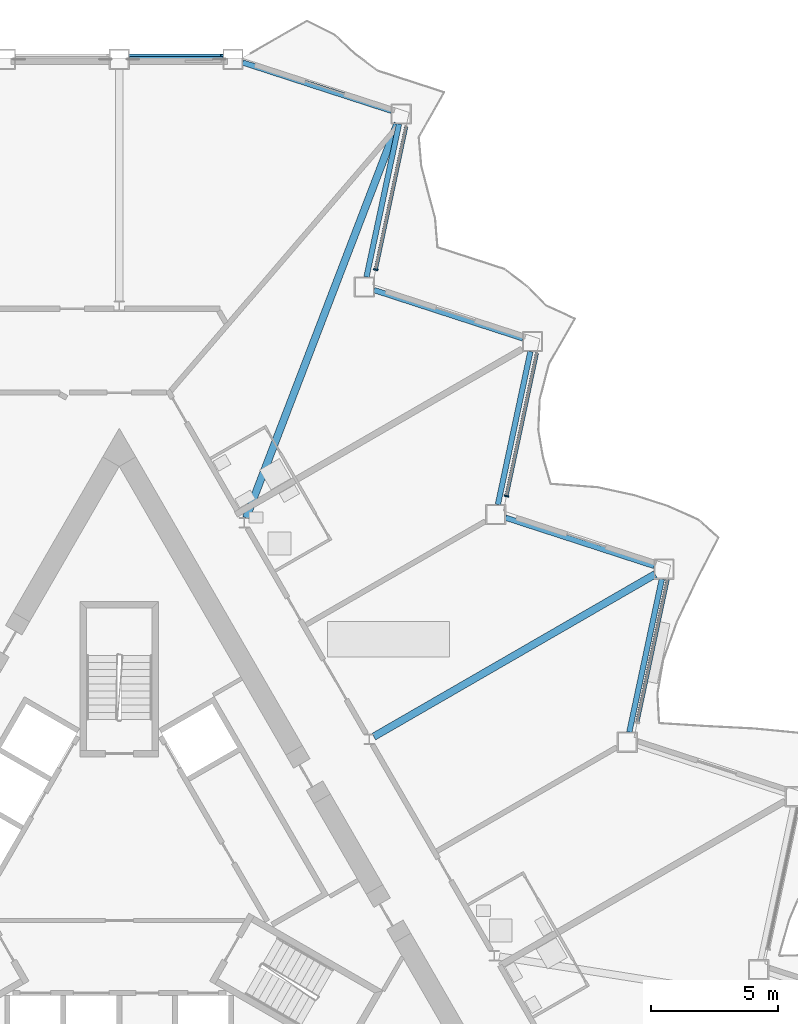
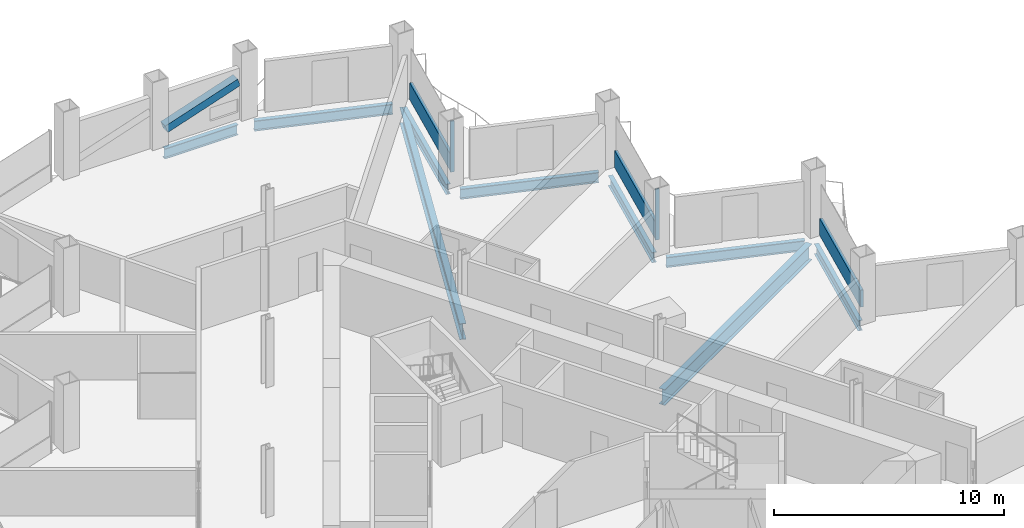
# One storey, part 8 of 22: 9 beams, 6 members, 3 elements without a shape of their own.
"""IFC4 building model written with IfcOpenShell, lengths in metres."""

import ifcopenshell
import ifcopenshell.guid

model = None  # the IFC model being written
_history = None  # IfcOwnerHistory: only IFC2X3 demands one
_inside = {}  # id of a spatial element -> (the spatial element, [elements in it])
_under = {}  # id of a project, library or spatial element -> (it, [spatial elements below it])
_declared = {}  # id of a project -> (the project, [libraries it declares])
_typed = {}  # id of a type object -> (the type object, [elements of that type])
_made_of = {}  # id of a material, layer set ... -> (it, [elements and type objects made of it])


def new_model(schema):
    """Start an empty IFC model of exactly this schema.

    Asked for "IFC4X3", IfcOpenShell would pick the latest addendum, in which some entities
    have other attributes; the version numbers below select the first issue.
    IFC2X3 requires an IfcOwnerHistory on every rooted entity: one is made here for all.
    """
    global model, _history
    if schema == "IFC4X3":
        model = ifcopenshell.file(schema_version=(4, 3, 0, 0))
    else:
        model = ifcopenshell.file(schema=schema)
    _inside.clear()
    _under.clear()
    _declared.clear()
    _typed.clear()
    _made_of.clear()
    _history = None
    if model.schema == "IFC2X3":
        org = make("IfcOrganization", Name="unknown")
        user = make(
            "IfcPersonAndOrganization",
            ThePerson=make("IfcPerson", FamilyName="unknown"),
            TheOrganization=org,
        )
        app = make(
            "IfcApplication",
            ApplicationDeveloper=org,
            Version="unknown",
            ApplicationFullName="unknown",
            ApplicationIdentifier="unknown",
        )
        _history = make(
            "IfcOwnerHistory",
            OwningUser=user,
            OwningApplication=app,
            ChangeAction="ADDED",
            CreationDate=0,
        )
    return model


def make(cls, **values):
    """One entity of the class cls with the attributes given. An attribute that is None is left unset."""
    return model.create_entity(
        cls, **{name: value for name, value in values.items() if value is not None}
    )


def rooted(cls, **values):
    """An entity with a GlobalId (a new one), such as an element, a storey or a relation."""
    return make(cls, GlobalId=ifcopenshell.guid.new(), OwnerHistory=_history, **values)


def si_unit(unit_type, name, prefix=None):
    """IfcSIUnit, for example si_unit("LENGTHUNIT", "METRE", prefix="MILLI")."""
    return make("IfcSIUnit", UnitType=unit_type, Prefix=prefix, Name=name)


def assignment(units):
    """IfcUnitAssignment: the units of a project."""
    return None if units is None else make("IfcUnitAssignment", Units=units)


def point(xyz):
    """IfcCartesianPoint."""
    return None if xyz is None else make("IfcCartesianPoint", Coordinates=xyz)


def direction(xyz):
    """IfcDirection."""
    return None if xyz is None else make("IfcDirection", DirectionRatios=xyz)


def frame(location, z_axis=None, x_axis=None):
    """IfcAxis2Placement3D, a coordinate frame: its origin and axes. An axis left out is left unset."""
    return make(
        "IfcAxis2Placement3D",
        Location=point(location),
        Axis=direction(z_axis),
        RefDirection=direction(x_axis),
    )


def frame_2d(location, x_axis=None):
    """IfcAxis2Placement2D, a coordinate frame in the plane: its origin and x axis."""
    return make(
        "IfcAxis2Placement2D", Location=point(location), RefDirection=direction(x_axis)
    )


def origin():
    """The frame at (0, 0, 0) with its axes left unset."""
    return frame((0.0, 0.0, 0.0))


def origin_2d():
    """The frame at (0, 0) in the plane with its x axis left unset."""
    return frame_2d((0.0, 0.0))


def place(relative_to, where):
    """IfcLocalPlacement: puts the frame where relative to a parent placement (None: the world)."""
    return make(
        "IfcLocalPlacement", PlacementRelTo=relative_to, RelativePlacement=where
    )


def context(
    kind, dimensions, precision=None, world=None, true_north=None, identifier=None
):
    """IfcGeometricRepresentationContext, for example the 3D "Model" context."""
    return make(
        "IfcGeometricRepresentationContext",
        ContextIdentifier=identifier,
        ContextType=kind,
        CoordinateSpaceDimension=dimensions,
        Precision=precision,
        WorldCoordinateSystem=world,
        TrueNorth=true_north,
    )


def subcontext(parent, identifier, kind, view, scale=None):
    """IfcGeometricRepresentationSubContext, for example "Body" below "Model"."""
    return make(
        "IfcGeometricRepresentationSubContext",
        ContextIdentifier=identifier,
        ContextType=kind,
        ParentContext=parent,
        TargetScale=scale,
        TargetView=view,
    )


def project(units=None, contexts=None):
    """IfcProject with its units and contexts."""
    return rooted(
        "IfcProject",
        Name="project",
        RepresentationContexts=contexts,
        UnitsInContext=assignment(units),
    )


def spatial(cls, under=None, at=None, **own):
    """A site, building, storey or space (cls), placed at a placement, below another one or the project."""
    s = rooted(cls, ObjectPlacement=at, **own)
    if under is not None:
        _under.setdefault(under.id(), (under, []))[1].append(s)
    return s


def profile(cls, at=None, kind="AREA", **sizes):
    """A parametric profile (cls). Its sizes go by their IFC names, for example OverallWidth=200.0."""
    return make(cls, ProfileType=kind, Position=at, **sizes)


def rectangle(**sizes):
    """IfcRectangleProfileDef."""
    return profile("IfcRectangleProfileDef", **sizes)


def hollow_rectangle(**sizes):
    """IfcRectangleHollowProfileDef."""
    return profile("IfcRectangleHollowProfileDef", **sizes)


def i_section(**sizes):
    """IfcIShapeProfileDef."""
    return profile("IfcIShapeProfileDef", **sizes)


def extrude(swept, where, along, depth):
    """IfcExtrudedAreaSolid: the profile swept, set in the frame where, extruded along a direction by depth."""
    return make(
        "IfcExtrudedAreaSolid",
        SweptArea=swept,
        Position=where,
        ExtrudedDirection=direction(along),
        Depth=depth,
    )


def shape(context_of_items, identifier, shape_type, items):
    """IfcShapeRepresentation: the items that make up one representation, for example the "Body"."""
    return make(
        "IfcShapeRepresentation",
        ContextOfItems=context_of_items,
        RepresentationIdentifier=identifier,
        RepresentationType=shape_type,
        Items=items,
    )


def material(Name=None, Category=None):
    """IfcMaterial."""
    return make("IfcMaterial", Name=Name, Category=Category)


def layer(
    of_material, thickness, ventilated=None, Name=None, Category=None, Priority=None
):
    """IfcMaterialLayer: one layer of a wall or slab, of a material (None: an air gap)."""
    return make(
        "IfcMaterialLayer",
        Material=of_material,
        LayerThickness=thickness,
        IsVentilated=ventilated,
        Name=Name,
        Category=Category,
        Priority=Priority,
    )


def layer_set(layers, Name=None):
    """IfcMaterialLayerSet."""
    return make("IfcMaterialLayerSet", MaterialLayers=layers, LayerSetName=Name)


def material_profile(
    of_material, cross_section, Name=None, Category=None, Priority=None
):
    """IfcMaterialProfile: a cross section and its material."""
    return make(
        "IfcMaterialProfile",
        Name=Name,
        Material=of_material,
        Profile=cross_section,
        Priority=Priority,
        Category=Category,
    )


def profile_set(profiles, Name=None, composite=None):
    """IfcMaterialProfileSet."""
    return make(
        "IfcMaterialProfileSet",
        Name=Name,
        MaterialProfiles=profiles,
        CompositeProfile=composite,
    )


def made_of(thing, what):
    """Note that an element or type object is made of a material, layer set ...; save() writes the relation."""
    if what is not None:
        _made_of.setdefault(what.id(), (what, []))[1].append(thing)
    return thing


def type_object(cls, material=None, **own):
    """A type object (cls), such as IfcWallType, which elements share."""
    return made_of(rooted(cls, **own), material)


def element(
    cls,
    number,
    at=None,
    inside=None,
    cuts=None,
    type_object=None,
    material=None,
    context=None,
    identifier="Body",
    shape_type=None,
    held_by="IfcProductDefinitionShape",
    body=None,
    shapes=None,
    **own,
):
    """One element of the class cls, such as IfcWall. Its Tag is "e" and its number.

    at: its placement. inside: the storey or other place that contains it. cuts: it is an
    opening in that element (IfcRelVoidsElement). A single representation is given by context,
    identifier, shape_type and body (its items); several are given by shapes. held_by: the class
    of the entity that holds the representations. save() writes the other relations.
    """
    e = rooted(cls, Tag="e%d" % number, ObjectPlacement=at, **own)
    if body is not None:
        shapes = [shape(context, identifier, shape_type, body)]
    if shapes is not None:
        e.Representation = make(held_by, Representations=shapes)
    if inside is not None:
        _inside.setdefault(inside.id(), (inside, []))[1].append(e)
    if cuts is not None:
        rooted(
            "IfcRelVoidsElement", RelatingBuildingElement=cuts, RelatedOpeningElement=e
        )
    if type_object is not None:
        _typed.setdefault(type_object.id(), (type_object, []))[1].append(e)
    return made_of(e, material)


def aggregate(whole, parts):
    """IfcRelAggregates: a whole, such as a stair, and the parts it consists of."""
    return rooted("IfcRelAggregates", RelatingObject=whole, RelatedObjects=parts)


def save(model, path):
    """Write the relations noted so far, then the file.

    IfcRelAggregates (storeys below a building ...), IfcRelContainedInSpatialStructure (elements
    in a storey), IfcRelDefinesByType, IfcRelAssociatesMaterial and IfcRelDeclares: one each for
    every whole, place, type object, material and project.
    """
    for whole, parts in _under.values():
        aggregate(whole, parts)
    for where, things in _inside.values():
        rooted(
            "IfcRelContainedInSpatialStructure",
            RelatedElements=things,
            RelatingStructure=where,
        )
    for kind, things in _typed.values():
        rooted("IfcRelDefinesByType", RelatedObjects=things, RelatingType=kind)
    for what, things in _made_of.values():
        rooted("IfcRelAssociatesMaterial", RelatedObjects=things, RelatingMaterial=what)
    for by, libraries in _declared.values():
        rooted("IfcRelDeclares", RelatingContext=by, RelatedDefinitions=libraries)
    model.write(path)


model = new_model("IFC4")

# Units and contexts
model_context = context("Model", 3, precision=1e-05, world=origin(), true_north=direction((0.0, 1.0)))
body_context = subcontext(model_context, "Body", "Model", "MODEL_VIEW")
ifc_project = project(units=[si_unit("LENGTHUNIT", "METRE"), si_unit("AREAUNIT", "SQUARE_METRE"), si_unit("VOLUMEUNIT", "CUBIC_METRE"), si_unit("PLANEANGLEUNIT", "RADIAN"), si_unit("MASSUNIT", "GRAM", prefix="KILO")], contexts=[model_context])

# Site, building, storey
site_placement = place(None, origin())
site = spatial("IfcSite", under=ifc_project, at=site_placement, CompositionType="ELEMENT")
building_placement = place(site_placement, origin())
building = spatial("IfcBuilding", under=site, at=building_placement, Name="Cormorant Prow Tower", CompositionType="ELEMENT")
storey_placement = place(building_placement, frame((0.0, 0.0, 198.0)))
storey = spatial("IfcBuildingStorey", under=building, at=storey_placement, Name="L43", CompositionType="ELEMENT", Elevation=198.0)

# Member
ifc_material_1 = material(Name="Structural steel ASTM A500 Gr C", Category="steel")
ifc_material_profile_1 = material_profile(ifc_material_1, hollow_rectangle(XDim=0.406494140625, YDim=0.406494140625, WallThickness=0.01171875, at=origin_2d()), Name="HSS16x16x1/2")
ifc_profile_set_1 = profile_set([ifc_material_profile_1], Name="Structural steel ASTM A500 Gr C")
member_type_1 = type_object("IfcMemberType", Name="Chamfer brace HSS16x16x1/2", PredefinedType="BRACE", material=ifc_profile_set_1)
member_1_placement = place(storey_placement, frame((0.417236328125, 32.3994140625, 0.739990234375), z_axis=(0.947980792039, 0.0, 0.318327532464), x_axis=(0.0, 1.0, 0.0)))
element("IfcMember", 1, at=member_1_placement, inside=storey, type_object=member_type_1, Name="Chamfer brace BR2 at N00 L43", PredefinedType="BRACE", context=body_context, shape_type="SweptSolid", body=[
    extrude(hollow_rectangle(XDim=0.406494140625, YDim=0.406494140625, WallThickness=0.01171875, at=origin_2d()), origin(), (0.0, 0.0, 1.0), 3.83544921875),
])

# Curtain wall, member
ifc_material_2 = material(Name="Aluminium 6063-T6", Category="aluminium")
ifc_layer = layer(ifc_material_2, 0.179931640625)
ifc_layer_set = layer_set([ifc_layer], Name="Aluminium 6063-T6")
curtain_wall_type = type_object("IfcCurtainWallType", Name="Hotel unitised curtain wall 180", PredefinedType="NOTDEFINED", material=ifc_layer_set)
curtain_wall_1_placement = place(storey_placement, origin())
curtain_wall_1 = element("IfcCurtainWall", 2, at=curtain_wall_1_placement, inside=storey, type_object=curtain_wall_type, Name="Hotel curtain wall ENE06", PredefinedType="NOTDEFINED")
ifc_material_3 = material(Name="Aluminium 6063-T6", Category="aluminium")
ifc_material_profile_2 = material_profile(ifc_material_3, rectangle(XDim=0.179931640625, YDim=0.06005859375, at=origin_2d()), Name="Hotel mullion 60x180")
ifc_profile_set_2 = profile_set([ifc_material_profile_2], Name="Aluminium 6063-T6")
member_type_2 = type_object("IfcMemberType", Name="Hotel mullion 60x180", PredefinedType="MULLION", material=ifc_profile_set_2)
member_2_placement = place(storey_placement, frame((15.22119140625, 15.234619140625, 0.0), z_axis=(0.0, 0.0, 1.0), x_axis=(-0.978147607432, 0.207911659303, 0.0)))
member_2 = element("IfcMember", 3, at=member_2_placement, type_object=member_type_2, Name="Hotel mullion ENE06", PredefinedType="MULLION", context=body_context, shape_type="SweptSolid", body=[
    extrude(rectangle(XDim=0.179931640625, YDim=0.06005859375, at=origin_2d()), origin(), (0.0, 0.0, 1.0), 2.700927734375),
])

curtain_wall_2_placement = place(storey_placement, origin())
curtain_wall_2 = element("IfcCurtainWall", 4, at=curtain_wall_2_placement, inside=storey, type_object=curtain_wall_type, Name="Hotel curtain wall ENE08", PredefinedType="NOTDEFINED")
member_3_placement = place(storey_placement, frame((10.08251953125, 24.134765625, 0.0), z_axis=(0.0, 0.0, 1.0), x_axis=(-0.978147607432, 0.207911659303, 0.0)))
member_3 = element("IfcMember", 5, at=member_3_placement, type_object=member_type_2, Name="Hotel mullion ENE08", PredefinedType="MULLION", context=body_context, shape_type="SweptSolid", body=[
    extrude(rectangle(XDim=0.179931640625, YDim=0.06005859375, at=origin_2d()), origin(), (0.0, 0.0, 1.0), 2.700927734375),
])

curtain_wall_3_placement = place(storey_placement, origin())
curtain_wall_3 = element("IfcCurtainWall", 6, at=curtain_wall_3_placement, inside=storey, type_object=curtain_wall_type, Name="Hotel curtain wall ENE04", PredefinedType="NOTDEFINED")
ifc_material_4 = material(Name="Terracotta", Category="masonry")
ifc_material_profile_3 = material_profile(ifc_material_4, rectangle(XDim=0.139892578125, YDim=0.89990234375, at=origin_2d()), Name="Hotel terracotta spandrel rail 140x900")
ifc_profile_set_3 = profile_set([ifc_material_profile_3], Name="Terracotta")
member_type_3 = type_object("IfcMemberType", Name="Hotel terracotta spandrel rail 140x900", PredefinedType="USERDEFINED", material=ifc_profile_set_3)
member_4_placement = place(storey_placement, frame((20.365966796875, 6.36376953125, 0.449951171875), z_axis=(0.207875606044, 0.978155270093, 0.0), x_axis=(-0.978155270093, 0.207875606044, 0.0)))
member_4 = element("IfcMember", 7, at=member_4_placement, type_object=member_type_3, Name="Hotel spandrel rail ENE04", ObjectType="TRANSOM", PredefinedType="USERDEFINED", context=body_context, shape_type="SweptSolid", body=[
    extrude(rectangle(XDim=0.139892578125, YDim=0.89990234375, at=origin_2d()), origin(), (0.0, 0.0, 1.0), 5.718505859375),
])
aggregate(curtain_wall_3, [member_4])

# Member
member_5_placement = place(storey_placement, frame((15.227294921875, 15.263916015625, 0.449951171875), z_axis=(0.207916454305, 0.978146588211, 0.0), x_axis=(-0.978146588211, 0.207916454305, 0.0)))
member_5 = element("IfcMember", 8, at=member_5_placement, type_object=member_type_3, Name="Hotel spandrel rail ENE06", ObjectType="TRANSOM", PredefinedType="USERDEFINED", context=body_context, shape_type="SweptSolid", body=[
    extrude(rectangle(XDim=0.139892578125, YDim=0.89990234375, at=origin_2d()), origin(), (0.0, 0.0, 1.0), 5.718505859375),
])

aggregate(curtain_wall_1, [member_2, member_5])

member_6_placement = place(storey_placement, frame((10.0888671875, 24.1640625, 0.449951171875), z_axis=(0.207916454305, 0.978146588211, 0.0), x_axis=(-0.978146588211, 0.207916454305, 0.0)))
member_6 = element("IfcMember", 9, at=member_6_placement, type_object=member_type_3, Name="Hotel spandrel rail ENE08", ObjectType="TRANSOM", PredefinedType="USERDEFINED", context=body_context, shape_type="SweptSolid", body=[
    extrude(rectangle(XDim=0.139892578125, YDim=0.89990234375, at=origin_2d()), origin(), (0.0, 0.0, 1.0), 5.718505859375),
])

aggregate(curtain_wall_2, [member_3, member_6])

# Beams
ifc_material_5 = material(Name="Structural steel ASTM A992 Gr 50", Category="steel")
ifc_material_profile_4 = material_profile(ifc_material_5, i_section(OverallWidth=0.29296875, OverallDepth=0.845703125, WebThickness=0.015380859375, FlangeThickness=0.0244140625, at=origin_2d()), Name="W33x141")
ifc_profile_set_4 = profile_set([ifc_material_profile_4], Name="Structural steel ASTM A992 Gr 50")
beam_type_1 = type_object("IfcBeamType", Name="Radial floor beam W33x141", PredefinedType="BEAM", material=ifc_profile_set_4)
beam_1_placement = place(storey_placement, frame((10.0048828125, 5.7763671875, -0.77294921875), z_axis=(0.866026069776, 0.499998846467, 0.0), x_axis=(-0.499998846467, 0.866026069776, 0.0)))
element("IfcBeam", 10, at=beam_1_placement, inside=storey, type_object=beam_type_1, Name="Radial floor beam FB2 11 L43", PredefinedType="BEAM", context=body_context, shape_type="SweptSolid", body=[
    extrude(i_section(OverallWidth=0.29296875, OverallDepth=0.845703125, WebThickness=0.015380859375, FlangeThickness=0.0244140625, at=origin_2d()), origin(), (0.0, 0.0, 1.0), 12.76904296875),
])
beam_2_placement = place(storey_placement, frame((4.9873046875, 14.376220703125, -0.77294921875), z_axis=(0.358301123829, 0.933606075742, 0.0), x_axis=(-0.933606075742, 0.358301123829, 0.0)))
element("IfcBeam", 11, at=beam_2_placement, inside=storey, type_object=beam_type_1, Name="Radial floor beam FB2 12 L43", PredefinedType="BEAM", context=body_context, shape_type="SweptSolid", body=[
    extrude(i_section(OverallWidth=0.29296875, OverallDepth=0.845703125, WebThickness=0.015380859375, FlangeThickness=0.0244140625, at=origin_2d()), origin(), (0.0, 0.0, 1.0), 16.604736328125),
])
ifc_material_6 = material(Name="Structural steel ASTM A992 Gr 50", Category="steel")
ifc_material_profile_5 = material_profile(ifc_material_6, i_section(OverallWidth=0.2138671875, OverallDepth=0.549072265625, WebThickness=0.0146484375, FlangeThickness=0.023681640625, at=origin_2d()), Name="W21x93")
ifc_profile_set_5 = profile_set([ifc_material_profile_5], Name="Structural steel ASTM A992 Gr 50")
beam_type_2 = type_object("IfcBeamType", Name="Spandrel beam W21x93", PredefinedType="SPANDREL", material=ifc_profile_set_5)
beam_3_placement = place(storey_placement, frame((20.0478515625, 5.9541015625, -0.62451171875), z_axis=(0.207904811195, 0.978149063018, 0.0), x_axis=(-0.978149063018, 0.207904811195, 0.0)))
element("IfcBeam", 12, at=beam_3_placement, inside=storey, type_object=beam_type_2, Name="Spandrel beam SB2 ENE04-ENE05 L43", PredefinedType="SPANDREL", context=body_context, shape_type="SweptSolid", body=[
    extrude(i_section(OverallWidth=0.2138671875, OverallDepth=0.549072265625, WebThickness=0.0146484375, FlangeThickness=0.023681640625, at=origin_2d()), origin(), (0.0, 0.0, 1.0), 6.149658203125),
])
beam_4_placement = place(storey_placement, frame((21.029052734375, 12.484375, -0.62451171875), z_axis=(-0.951057696564, 0.309013361859, 0.0), x_axis=(-0.309013361859, -0.951057696564, 0.0)))
element("IfcBeam", 13, at=beam_4_placement, inside=storey, type_object=beam_type_2, Name="Spandrel beam SB2 ENE05-ENE06 L43", PredefinedType="SPANDREL", context=body_context, shape_type="SweptSolid", body=[
    extrude(i_section(OverallWidth=0.2138671875, OverallDepth=0.549072265625, WebThickness=0.0146484375, FlangeThickness=0.023681640625, at=origin_2d()), origin(), (0.0, 0.0, 1.0), 6.14990234375),
])
beam_5_placement = place(storey_placement, frame((14.883056640625, 14.899658203125, -0.62451171875), z_axis=(0.207904811195, 0.978149063018, 0.0), x_axis=(-0.978149063018, 0.207904811195, 0.0)))
element("IfcBeam", 14, at=beam_5_placement, inside=storey, type_object=beam_type_2, Name="Spandrel beam SB2 ENE06-ENE07 L43", PredefinedType="SPANDREL", context=body_context, shape_type="SweptSolid", body=[
    extrude(i_section(OverallWidth=0.2138671875, OverallDepth=0.549072265625, WebThickness=0.0146484375, FlangeThickness=0.023681640625, at=origin_2d()), origin(), (0.0, 0.0, 1.0), 6.149658203125),
])
beam_6_placement = place(storey_placement, frame((15.864501953125, 21.429931640625, -0.62451171875), z_axis=(-0.951057696564, 0.309013361859, 0.0), x_axis=(-0.309013361859, -0.951057696564, 0.0)))
element("IfcBeam", 15, at=beam_6_placement, inside=storey, type_object=beam_type_2, Name="Spandrel beam SB2 ENE07-ENE08 L43", PredefinedType="SPANDREL", context=body_context, shape_type="SweptSolid", body=[
    extrude(i_section(OverallWidth=0.2138671875, OverallDepth=0.549072265625, WebThickness=0.0146484375, FlangeThickness=0.023681640625, at=origin_2d()), origin(), (0.0, 0.0, 1.0), 6.14990234375),
])
beam_7_placement = place(storey_placement, frame((9.71826171875, 23.84521484375, -0.62451171875), z_axis=(0.207904811195, 0.978149063018, 0.0), x_axis=(-0.978149063018, 0.207904811195, 0.0)))
element("IfcBeam", 16, at=beam_7_placement, inside=storey, type_object=beam_type_2, Name="Spandrel beam SB2 ENE08-ENE09 L43", PredefinedType="SPANDREL", context=body_context, shape_type="SweptSolid", body=[
    extrude(i_section(OverallWidth=0.2138671875, OverallDepth=0.549072265625, WebThickness=0.0146484375, FlangeThickness=0.023681640625, at=origin_2d()), origin(), (0.0, 0.0, 1.0), 6.149658203125),
])
beam_8_placement = place(storey_placement, frame((10.69970703125, 30.37548828125, -0.62451171875), z_axis=(-0.951057696564, 0.309013361859, 0.0), x_axis=(-0.309013361859, -0.951057696564, 0.0)))
element("IfcBeam", 17, at=beam_8_placement, inside=storey, type_object=beam_type_2, Name="Spandrel beam SB2 ENE09-N00 L43", PredefinedType="SPANDREL", context=body_context, shape_type="SweptSolid", body=[
    extrude(i_section(OverallWidth=0.2138671875, OverallDepth=0.549072265625, WebThickness=0.0146484375, FlangeThickness=0.023681640625, at=origin_2d()), origin(), (0.0, 0.0, 1.0), 6.14990234375),
])
beam_9_placement = place(storey_placement, frame((4.0703125, 32.3994140625, -0.62451171875), z_axis=(-1.0, 0.0, 0.0), x_axis=(0.0, -1.0, 0.0)))
element("IfcBeam", 18, at=beam_9_placement, inside=storey, type_object=beam_type_2, Name="Spandrel beam SB2 N00-N01 L43", PredefinedType="SPANDREL", context=body_context, shape_type="SweptSolid", body=[
    extrude(i_section(OverallWidth=0.2138671875, OverallDepth=0.549072265625, WebThickness=0.0146484375, FlangeThickness=0.023681640625, at=origin_2d()), origin(), (0.0, 0.0, 1.0), 3.67041015625),
])

save(model, "model.ifc")
